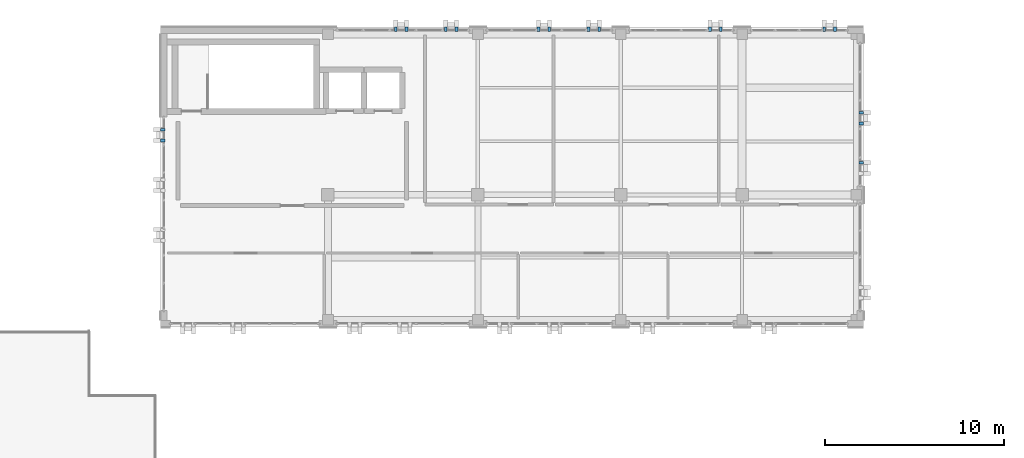
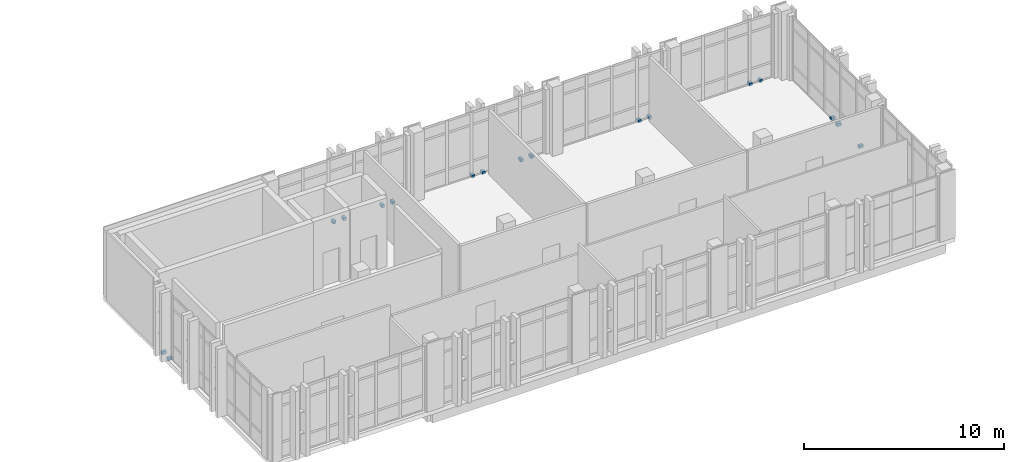
# One storey, part 68 of 77: 17 discrete accessories.
"""IFC4 building model written with IfcOpenShell, lengths in metres."""

from ifc_helpers import new_model, si_unit, direction, frame, origin, origin_2d, place, context, subcontext, project, spatial, rectangle, extrude, material, type_object, element, save


model = new_model("IFC4")

# Units and contexts
model_context = context("Model", 3, precision=1e-05, world=origin(), true_north=direction((0.0, 1.0)))
body_context = subcontext(model_context, "Body", "Model", "MODEL_VIEW")
ifc_project = project(units=[si_unit("LENGTHUNIT", "METRE"), si_unit("AREAUNIT", "SQUARE_METRE"), si_unit("VOLUMEUNIT", "CUBIC_METRE"), si_unit("PLANEANGLEUNIT", "RADIAN"), si_unit("MASSUNIT", "GRAM", prefix="KILO")], contexts=[model_context])

# Site, building, storey
site_placement = place(None, origin())
site = spatial("IfcSite", under=ifc_project, at=site_placement, CompositionType="ELEMENT")
building_placement = place(site_placement, origin())
building = spatial("IfcBuilding", under=site, at=building_placement, Name="Qalavern Law Courts", CompositionType="ELEMENT")
storey_placement = place(building_placement, frame((0.0, 0.0, 27.0)))
storey = spatial("IfcBuildingStorey", under=building, at=storey_placement, Name="L06", CompositionType="ELEMENT", Elevation=27.0)

# Discrete accessories
ifc_material = material(Name="Steel S355", Category="steel")
discrete_accessory_type = type_object("IfcDiscreteAccessoryType", Name="ENV-BRK-FIN", PredefinedType="BRACKET", material=ifc_material)
for number, where, z_axis, x_axis, name in (
    (1, (58.27490234375, 105.39990234375, -0.06982421875), (0.0, 0.0, 1.0), (1.0, 0.0, 0.0), "Stone blade anchor bracket 1174"),
    (2, (58.27490234375, 107.60009765625, -0.06982421875), (0.0, 0.0, 1.0), (1.0, 0.0, 0.0), "Stone blade anchor bracket 1175"),
    (3, (58.27490234375, 108.199951171875, -0.06982421875), (0.0, 0.0, 1.0), (1.0, 0.0, 0.0), "Stone blade anchor bracket 1176"),
    (4, (56.800048828125, 112.875, -0.06982421875), (0.0, 0.0, 1.0), (0.0, 1.0, 0.0), "Stone blade anchor bracket 1177"),
    (5, (56.199951171875, 112.875, -0.06982421875), (0.0, 0.0, 1.0), (0.0, 1.0, 0.0), "Stone blade anchor bracket 1178"),
    (6, (50.39990234375, 112.875, -0.06982421875), (0.0, 0.0, 1.0), (0.0, 1.0, 0.0), "Stone blade anchor bracket 1179"),
    (7, (49.800048828125, 112.875, -0.06982421875), (0.0, 0.0, 1.0), (0.0, 1.0, 0.0), "Stone blade anchor bracket 1180"),
    (8, (43.60009765625, 112.875, -0.06982421875), (0.0, 0.0, 1.0), (0.0, 1.0, 0.0), "Stone blade anchor bracket 1181"),
    (9, (43.0, 112.875, -0.06982421875), (0.0, 0.0, 1.0), (0.0, 1.0, 0.0), "Stone blade anchor bracket 1182"),
    (10, (40.800048828125, 112.875, -0.06982421875), (0.0, 0.0, 1.0), (0.0, 1.0, 0.0), "Stone blade anchor bracket 1183"),
    (11, (40.199951171875, 112.875, -0.06982421875), (0.0, 0.0, 1.0), (0.0, 1.0, 0.0), "Stone blade anchor bracket 1184"),
    (12, (35.60009765625, 112.875, -0.06982421875), (0.0, 0.0, 1.0), (0.0, 1.0, 0.0), "Stone blade anchor bracket 1185"),
    (13, (35.0, 112.875, -0.06982421875), (0.0, 0.0, 1.0), (0.0, 1.0, 0.0), "Stone blade anchor bracket 1186"),
    (14, (32.800048828125, 112.875, -0.06982421875), (0.0, 0.0, 1.0), (0.0, 1.0, 0.0), "Stone blade anchor bracket 1187"),
    (15, (32.199951171875, 112.875, -0.06982421875), (0.0, 0.0, 1.0), (0.0, 1.0, 0.0), "Stone blade anchor bracket 1188"),
    (16, (19.14501953125, 107.25, -0.06982421875), (0.0, 0.0, 1.0), (-1.0, 0.0, 0.0), "Stone blade anchor bracket 1189"),
    (17, (19.14501953125, 106.64990234375, -0.06982421875), (0.0, 0.0, 1.0), (-1.0, 0.0, 0.0), "Stone blade anchor bracket 1190"),
):
    element("IfcDiscreteAccessory", number, at=place(storey_placement, frame(where, z_axis=z_axis, x_axis=x_axis)), inside=storey, type_object=discrete_accessory_type, Name=name, PredefinedType="BRACKET", context=body_context, shape_type="SweptSolid", body=[
        extrude(rectangle(XDim=0.239990234375, YDim=0.159912109375, at=origin_2d()), origin(), (0.0, 0.0, 1.0), 0.179931640625),
    ])

save(model, "model.ifc")
